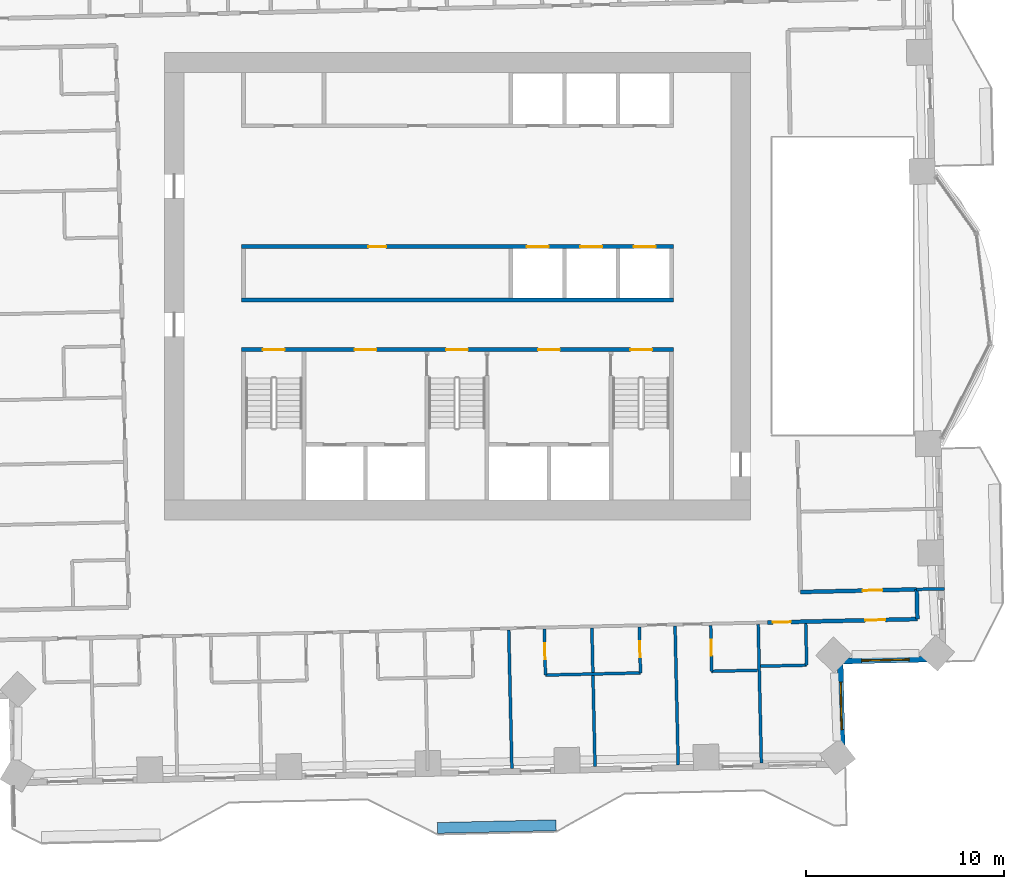
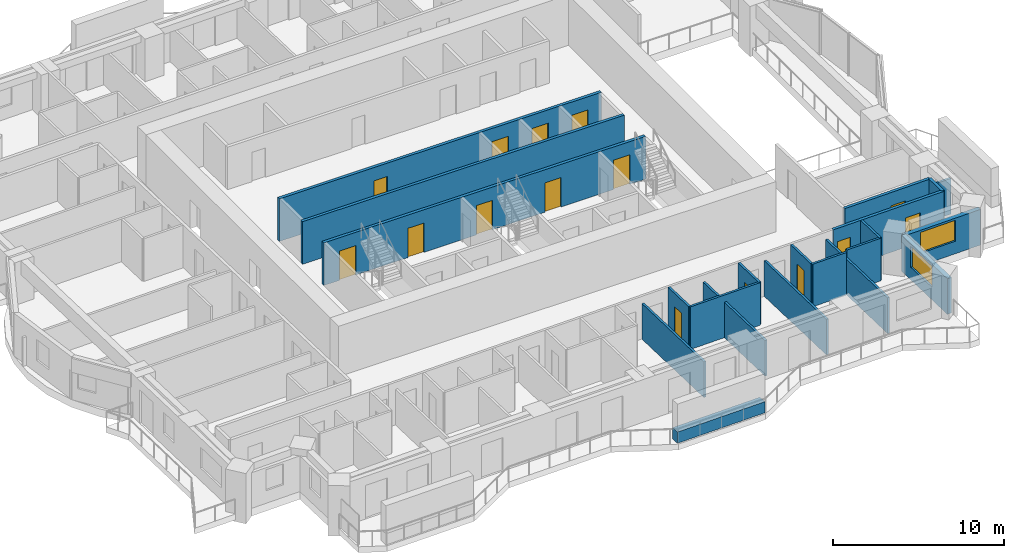
# One storey, part 8 of 16: 21 walls, 15 doors, 2 windows, 17 openings.
"""IFC4 building model written with IfcOpenShell, lengths in metres."""

from ifc_helpers import new_model, si_unit, direction, frame, frame_2d, origin, place, context, subcontext, project, spatial, rectangle, extrude, material, layer, layer_set, type_object, element, fill, save


model = new_model("IFC4")

# Units and contexts
model_context = context("Model", 3, precision=1e-05, world=origin(), true_north=direction((0.0, 1.0)))
body_context = subcontext(model_context, "Body", "Model", "MODEL_VIEW")
ifc_project = project(units=[si_unit("LENGTHUNIT", "METRE"), si_unit("AREAUNIT", "SQUARE_METRE"), si_unit("VOLUMEUNIT", "CUBIC_METRE"), si_unit("PLANEANGLEUNIT", "RADIAN"), si_unit("MASSUNIT", "GRAM", prefix="KILO")], contexts=[model_context])

# Site, building, storey
site_placement = place(None, origin())
site = spatial("IfcSite", under=ifc_project, at=site_placement, CompositionType="ELEMENT")
building_placement = place(site_placement, origin())
building = spatial("IfcBuilding", under=site, at=building_placement, Name="Mangrove Gate Tower", CompositionType="ELEMENT")
storey_placement = place(building_placement, frame((0.0, 0.0, 130.10009765625)))
storey = spatial("IfcBuildingStorey", under=building, at=storey_placement, Name="L32", CompositionType="ELEMENT", Elevation=130.10009765625)

# Wall
ifc_material_1 = material(Name="Concrete C70/85", Category="concrete")
ifc_layer_1 = layer(ifc_material_1, 0.199951171875)
ifc_layer_set_1 = layer_set([ifc_layer_1], Name="Core shaft wall 200 C70/85")
wall_type_1 = type_object("IfcWallType", Name="Core shaft wall 200 C70/85", PredefinedType="SHEAR", material=ifc_layer_set_1)
wall_1_placement = place(storey_placement, frame((-10.89990234375, -0.699951171875, 0.0), z_axis=(0.0, 0.0, 1.0), x_axis=(1.0, 0.0, 0.0)))
element("IfcWall", 1, at=wall_1_placement, inside=storey, type_object=wall_type_1, Name="WALL-L32-CORE-6", PredefinedType="SHEAR", context=body_context, shape_type="SweptSolid", body=[
    extrude(rectangle(XDim=21.7998046875, YDim=0.199951171875, at=frame_2d((10.89990234375, 0.0))), origin(), (0.0, 0.0, 1.0), 3.0498046875),
])

# Wall, openings, doors
wall_2_placement = place(storey_placement, frame((-10.89990234375, 2.0, 0.0), z_axis=(0.0, 0.0, 1.0), x_axis=(1.0, 0.0, 0.0)))
wall_2 = element("IfcWall", 2, at=wall_2_placement, inside=storey, type_object=wall_type_1, Name="WALL-L32-CORE-7", PredefinedType="SHEAR", context=body_context, shape_type="SweptSolid", body=[
    extrude(rectangle(XDim=21.7998046875, YDim=0.199951171875, at=frame_2d((10.89990234375, 0.0))), origin(), (0.0, 0.0, 1.0), 3.0498046875),
])
opening_1_placement = place(wall_2_placement, frame((14.39990234375, 0.0, 0.0)))
opening_1 = element("IfcOpeningElement", 3, at=opening_1_placement, cuts=wall_2, Name="Opening LD", PredefinedType="OPENING", context=body_context, shape_type="SweptSolid", body=[
    extrude(rectangle(XDim=1.10009765625, YDim=2.10009765625, at=frame_2d((0.550048828125, 1.050048828125))), frame((0.0, 0.10986328125, 0.0), z_axis=(0.0, -1.0, 0.0), x_axis=(1.0, 0.0, 0.0)), (0.0, 0.0, 1.0), 0.219970703125),
])
opening_2_placement = place(wall_2_placement, frame((17.10009765625, 0.0, 0.0)))
opening_2 = element("IfcOpeningElement", 4, at=opening_2_placement, cuts=wall_2, Name="Opening LD", PredefinedType="OPENING", context=body_context, shape_type="SweptSolid", body=[
    extrude(rectangle(XDim=1.10009765625, YDim=2.10009765625, at=frame_2d((0.550048828125, 1.050048828125))), frame((0.0, 0.10986328125, 0.0), z_axis=(0.0, -1.0, 0.0), x_axis=(1.0, 0.0, 0.0)), (0.0, 0.0, 1.0), 0.219970703125),
])
opening_3_placement = place(wall_2_placement, frame((19.800048828125, 0.0, 0.0)))
opening_3 = element("IfcOpeningElement", 5, at=opening_3_placement, cuts=wall_2, Name="Opening LD", PredefinedType="OPENING", context=body_context, shape_type="SweptSolid", body=[
    extrude(rectangle(XDim=1.10009765625, YDim=2.10009765625, at=frame_2d((0.550048828125, 1.050048828125))), frame((0.0, 0.10986328125, 0.0), z_axis=(0.0, -1.0, 0.0), x_axis=(1.0, 0.0, 0.0)), (0.0, 0.0, 1.0), 0.219970703125),
])
opening_4_placement = place(wall_2_placement, frame((6.39990234375, 0.0, 0.0)))
opening_4 = element("IfcOpeningElement", 6, at=opening_4_placement, cuts=wall_2, Name="Opening KD", PredefinedType="OPENING", context=body_context, shape_type="SweptSolid", body=[
    extrude(rectangle(XDim=0.89990234375, YDim=2.10009765625, at=frame_2d((0.449951171875, 1.050048828125))), frame((0.0, 0.10986328125, 0.0), z_axis=(0.0, -1.0, 0.0), x_axis=(1.0, 0.0, 0.0)), (0.0, 0.0, 1.0), 0.219970703125),
])
ifc_material_2 = material(Name="Fire-rated steel door set", Category="steel")
door_type_1 = type_object("IfcDoorType", Name="Core room door FD30S 900x2100", OperationType="SINGLE_SWING_RIGHT", PredefinedType="DOOR", material=ifc_material_2)
door_1_placement = place(opening_4_placement, origin())
door_1 = element("IfcDoor", 7, at=door_1_placement, inside=storey, type_object=door_type_1, Name="Core room door Core WC", OperationType="SINGLE_SWING_RIGHT", OverallHeight=2.10009765625, OverallWidth=0.89990234375, PredefinedType="DOOR", context=body_context, shape_type="SweptSolid", body=[
    extrude(rectangle(XDim=0.89990234375, YDim=2.10009765625, at=frame_2d((0.449951171875, 1.050048828125))), frame((0.0, 0.02490234375, 0.0), z_axis=(0.0, -1.0, 0.0), x_axis=(1.0, 0.0, 0.0)), (0.0, 0.0, 1.0), 0.050048828125),
])
fill(opening_4, door_1)
ifc_material_3 = material(Name="Stainless steel 316", Category="steel")
door_type_2 = type_object("IfcDoorType", Name="Lift landing door 1100x2100", OperationType="SLIDING_TO_LEFT", PredefinedType="DOOR", material=ifc_material_3)
door_2_placement = place(opening_1_placement, origin())
door_2 = element("IfcDoor", 8, at=door_2_placement, inside=storey, type_object=door_type_2, Name="Landing door LD M01", OperationType="SLIDING_TO_LEFT", OverallHeight=2.10009765625, OverallWidth=1.10009765625, PredefinedType="DOOR", context=body_context, shape_type="SweptSolid", body=[
    extrude(rectangle(XDim=1.10009765625, YDim=2.10009765625, at=frame_2d((0.550048828125, 1.050048828125))), frame((0.0, 0.02490234375, 0.0), z_axis=(0.0, -1.0, 0.0), x_axis=(1.0, 0.0, 0.0)), (0.0, 0.0, 1.0), 0.050048828125),
])
fill(opening_1, door_2)
door_3_placement = place(opening_2_placement, origin())
door_3 = element("IfcDoor", 9, at=door_3_placement, inside=storey, type_object=door_type_2, Name="Landing door LD M02", OperationType="SLIDING_TO_LEFT", OverallHeight=2.10009765625, OverallWidth=1.10009765625, PredefinedType="DOOR", context=body_context, shape_type="SweptSolid", body=[
    extrude(rectangle(XDim=1.10009765625, YDim=2.10009765625, at=frame_2d((0.550048828125, 1.050048828125))), frame((0.0, 0.02490234375, 0.0), z_axis=(0.0, -1.0, 0.0), x_axis=(1.0, 0.0, 0.0)), (0.0, 0.0, 1.0), 0.050048828125),
])
fill(opening_2, door_3)
door_4_placement = place(opening_3_placement, origin())
door_4 = element("IfcDoor", 10, at=door_4_placement, inside=storey, type_object=door_type_2, Name="Landing door LD M03", OperationType="SLIDING_TO_LEFT", OverallHeight=2.10009765625, OverallWidth=1.10009765625, PredefinedType="DOOR", context=body_context, shape_type="SweptSolid", body=[
    extrude(rectangle(XDim=1.10009765625, YDim=2.10009765625, at=frame_2d((0.550048828125, 1.050048828125))), frame((0.0, 0.02490234375, 0.0), z_axis=(0.0, -1.0, 0.0), x_axis=(1.0, 0.0, 0.0)), (0.0, 0.0, 1.0), 0.050048828125),
])
fill(opening_3, door_4)

ifc_material_4 = material(Name="Concrete C70/85", Category="concrete")
ifc_layer_2 = layer(ifc_material_4, 0.199951171875)
ifc_layer_set_2 = layer_set([ifc_layer_2], Name="Core stair wall 200 C70/85")
wall_type_2 = type_object("IfcWallType", Name="Core stair wall 200 C70/85", PredefinedType="SHEAR", material=ifc_layer_set_2)
wall_3_placement = place(storey_placement, frame((-10.89990234375, -3.199951171875, 0.0), z_axis=(0.0, 0.0, 1.0), x_axis=(1.0, 0.0, 0.0)))
wall_3 = element("IfcWall", 11, at=wall_3_placement, inside=storey, type_object=wall_type_2, Name="WALL-L32-CORE-5", PredefinedType="SHEAR", context=body_context, shape_type="SweptSolid", body=[
    extrude(rectangle(XDim=21.7998046875, YDim=0.199951171875, at=frame_2d((10.89990234375, 0.0))), origin(), (0.0, 0.0, 1.0), 3.0498046875),
])
opening_5_placement = place(wall_3_placement, frame((1.074951171875, 0.0, 0.0)))
opening_5 = element("IfcOpeningElement", 12, at=opening_5_placement, cuts=wall_3, Name="Opening STD11", PredefinedType="OPENING", context=body_context, shape_type="SweptSolid", body=[
    extrude(rectangle(XDim=1.10009765625, YDim=2.10009765625, at=frame_2d((0.550048828125, 1.050048828125))), frame((0.0, 0.10986328125, 0.0), z_axis=(0.0, -1.0, 0.0), x_axis=(1.0, 0.0, 0.0)), (0.0, 0.0, 1.0), 0.219970703125),
])
opening_6_placement = place(wall_3_placement, frame((10.324951171875, 0.0, 0.0)))
opening_6 = element("IfcOpeningElement", 13, at=opening_6_placement, cuts=wall_3, Name="Opening STD11", PredefinedType="OPENING", context=body_context, shape_type="SweptSolid", body=[
    extrude(rectangle(XDim=1.10009765625, YDim=2.10009765625, at=frame_2d((0.550048828125, 1.050048828125))), frame((0.0, 0.10986328125, 0.0), z_axis=(0.0, -1.0, 0.0), x_axis=(1.0, 0.0, 0.0)), (0.0, 0.0, 1.0), 0.219970703125),
])
opening_7_placement = place(wall_3_placement, frame((19.625, 0.0, 0.0)))
opening_7 = element("IfcOpeningElement", 14, at=opening_7_placement, cuts=wall_3, Name="Opening STD11", PredefinedType="OPENING", context=body_context, shape_type="SweptSolid", body=[
    extrude(rectangle(XDim=1.10009765625, YDim=2.10009765625, at=frame_2d((0.550048828125, 1.050048828125))), frame((0.0, 0.10986328125, 0.0), z_axis=(0.0, -1.0, 0.0), x_axis=(1.0, 0.0, 0.0)), (0.0, 0.0, 1.0), 0.219970703125),
])
opening_8_placement = place(wall_3_placement, frame((5.699951171875, 0.0, 0.0)))
opening_8 = element("IfcOpeningElement", 15, at=opening_8_placement, cuts=wall_3, Name="Opening FL", PredefinedType="OPENING", context=body_context, shape_type="SweptSolid", body=[
    extrude(rectangle(XDim=1.10009765625, YDim=2.10009765625, at=frame_2d((0.550048828125, 1.050048828125))), frame((0.0, 0.10986328125, 0.0), z_axis=(0.0, -1.0, 0.0), x_axis=(1.0, 0.0, 0.0)), (0.0, 0.0, 1.0), 0.219970703125),
])
opening_9_placement = place(wall_3_placement, frame((14.97509765625, 0.0, 0.0)))
opening_9 = element("IfcOpeningElement", 16, at=opening_9_placement, cuts=wall_3, Name="Opening FL", PredefinedType="OPENING", context=body_context, shape_type="SweptSolid", body=[
    extrude(rectangle(XDim=1.10009765625, YDim=2.10009765625, at=frame_2d((0.550048828125, 1.050048828125))), frame((0.0, 0.10986328125, 0.0), z_axis=(0.0, -1.0, 0.0), x_axis=(1.0, 0.0, 0.0)), (0.0, 0.0, 1.0), 0.219970703125),
])
ifc_material_5 = material(Name="Fire-rated steel door set", Category="steel")
door_type_3 = type_object("IfcDoorType", Name="Lobby door FD60 1100x2100", OperationType="SINGLE_SWING_LEFT", PredefinedType="DOOR", material=ifc_material_5)
door_5_placement = place(opening_8_placement, origin())
door_5 = element("IfcDoor", 17, at=door_5_placement, inside=storey, type_object=door_type_3, Name="Lobby door service lobby", OperationType="SINGLE_SWING_LEFT", OverallHeight=2.10009765625, OverallWidth=1.10009765625, PredefinedType="DOOR", context=body_context, shape_type="SweptSolid", body=[
    extrude(rectangle(XDim=1.10009765625, YDim=2.10009765625, at=frame_2d((0.550048828125, 1.050048828125))), frame((0.0, 0.02490234375, 0.0), z_axis=(0.0, -1.0, 0.0), x_axis=(1.0, 0.0, 0.0)), (0.0, 0.0, 1.0), 0.050048828125),
])
fill(opening_8, door_5)
door_6_placement = place(opening_9_placement, origin())
door_6 = element("IfcDoor", 18, at=door_6_placement, inside=storey, type_object=door_type_3, Name="Lobby door fire-fighting lobby", OperationType="SINGLE_SWING_LEFT", OverallHeight=2.10009765625, OverallWidth=1.10009765625, PredefinedType="DOOR", context=body_context, shape_type="SweptSolid", body=[
    extrude(rectangle(XDim=1.10009765625, YDim=2.10009765625, at=frame_2d((0.550048828125, 1.050048828125))), frame((0.0, 0.02490234375, 0.0), z_axis=(0.0, -1.0, 0.0), x_axis=(1.0, 0.0, 0.0)), (0.0, 0.0, 1.0), 0.050048828125),
])
fill(opening_9, door_6)
ifc_material_6 = material(Name="Fire-rated steel door set", Category="steel")
door_type_4 = type_object("IfcDoorType", Name="Stair door FD60 1100x2100", OperationType="SINGLE_SWING_RIGHT", PredefinedType="DOOR", material=ifc_material_6)
door_7_placement = place(opening_5_placement, origin())
door_7 = element("IfcDoor", 19, at=door_7_placement, inside=storey, type_object=door_type_4, Name="Stair door Stair 1", OperationType="SINGLE_SWING_RIGHT", OverallHeight=2.10009765625, OverallWidth=1.10009765625, PredefinedType="DOOR", context=body_context, shape_type="SweptSolid", body=[
    extrude(rectangle(XDim=1.10009765625, YDim=2.10009765625, at=frame_2d((0.550048828125, 1.050048828125))), frame((0.0, 0.02490234375, 0.0), z_axis=(0.0, -1.0, 0.0), x_axis=(1.0, 0.0, 0.0)), (0.0, 0.0, 1.0), 0.050048828125),
])
fill(opening_5, door_7)
door_8_placement = place(opening_6_placement, origin())
door_8 = element("IfcDoor", 20, at=door_8_placement, inside=storey, type_object=door_type_4, Name="Stair door Stair 2", OperationType="SINGLE_SWING_RIGHT", OverallHeight=2.10009765625, OverallWidth=1.10009765625, PredefinedType="DOOR", context=body_context, shape_type="SweptSolid", body=[
    extrude(rectangle(XDim=1.10009765625, YDim=2.10009765625, at=frame_2d((0.550048828125, 1.050048828125))), frame((0.0, 0.02490234375, 0.0), z_axis=(0.0, -1.0, 0.0), x_axis=(1.0, 0.0, 0.0)), (0.0, 0.0, 1.0), 0.050048828125),
])
fill(opening_6, door_8)
door_9_placement = place(opening_7_placement, origin())
door_9 = element("IfcDoor", 21, at=door_9_placement, inside=storey, type_object=door_type_4, Name="Stair door Stair 3", OperationType="SINGLE_SWING_RIGHT", OverallHeight=2.10009765625, OverallWidth=1.10009765625, PredefinedType="DOOR", context=body_context, shape_type="SweptSolid", body=[
    extrude(rectangle(XDim=1.10009765625, YDim=2.10009765625, at=frame_2d((0.550048828125, 1.050048828125))), frame((0.0, 0.02490234375, 0.0), z_axis=(0.0, -1.0, 0.0), x_axis=(1.0, 0.0, 0.0)), (0.0, 0.0, 1.0), 0.050048828125),
])
fill(opening_7, door_9)

# Wall
ifc_material_7 = material(Name="Gypsum board on steel stud, EI 60", Category="steel")
ifc_layer_3 = layer(ifc_material_7, 0.199951171875)
ifc_layer_set_3 = layer_set([ifc_layer_3], Name="Corridor wall EI 60")
wall_type_3 = type_object("IfcWallType", Name="Corridor wall EI 60", PredefinedType="PARTITIONING", material=ifc_layer_set_3)
wall_4_placement = place(storey_placement, frame((23.219970703125, -16.81494140625, 0.0), z_axis=(0.0, 0.0, 1.0), x_axis=(-0.022617910375, 0.999744182344, 0.0)))
element("IfcWall", 22, at=wall_4_placement, inside=storey, type_object=wall_type_3, Name="WALL-L32-028", PredefinedType="PARTITIONING", context=body_context, shape_type="SweptSolid", body=[
    extrude(rectangle(XDim=1.50048828125, YDim=0.199951171875, at=frame_2d((0.750244140625, 0.0))), origin(), (0.0, 0.0, 1.0), 3.0498046875),
])

# Wall, openings, doors
wall_5_placement = place(storey_placement, frame((15.657958984375, -16.98193359375, 0.0), z_axis=(0.0, 0.0, 1.0), x_axis=(0.99974485859, 0.022587999516, 0.0)))
wall_5 = element("IfcWall", 23, at=wall_5_placement, inside=storey, type_object=wall_type_3, Name="WALL-L32-031", PredefinedType="PARTITIONING", context=body_context, shape_type="SweptSolid", body=[
    extrude(rectangle(XDim=7.56591796875, YDim=0.199951171875, at=frame_2d((3.782958984375, 0.0))), origin(), (0.0, 0.0, 1.0), 3.0498046875),
])
opening_10_placement = place(wall_5_placement, frame((4.944091796875, 0.0, 0.0)))
opening_10 = element("IfcOpeningElement", 24, at=opening_10_placement, cuts=wall_5, Name="Opening AD", PredefinedType="OPENING", context=body_context, shape_type="SweptSolid", body=[
    extrude(rectangle(XDim=1.0, YDim=2.10009765625, at=frame_2d((0.5, 1.050048828125))), frame((0.0, 0.10986328125, 0.0), z_axis=(0.0, -1.0, 0.0), x_axis=(1.0, 0.0, 0.0)), (0.0, 0.0, 1.0), 0.219970703125),
])
opening_11_placement = place(wall_5_placement, frame((0.27197265625, 0.0, 0.0)))
opening_11 = element("IfcOpeningElement", 25, at=opening_11_placement, cuts=wall_5, Name="Opening SD", PredefinedType="OPENING", context=body_context, shape_type="SweptSolid", body=[
    extrude(rectangle(XDim=0.89990234375, YDim=2.10009765625, at=frame_2d((0.449951171875, 1.050048828125))), frame((0.0, 0.10986328125, 0.0), z_axis=(0.0, -1.0, 0.0), x_axis=(1.0, 0.0, 0.0)), (0.0, 0.0, 1.0), 0.219970703125),
])
ifc_material_8 = material(Name="Timber door leaf", Category="wood")
door_type_5 = type_object("IfcDoorType", Name="Amenity door 1000", OperationType="SINGLE_SWING_LEFT", PredefinedType="DOOR", material=ifc_material_8)
door_10_placement = place(opening_10_placement, origin())
door_10 = element("IfcDoor", 26, at=door_10_placement, inside=storey, type_object=door_type_5, Name="DOOR-L32-LNG-c3a", OperationType="SINGLE_SWING_RIGHT", OverallHeight=2.10009765625, OverallWidth=1.0, PredefinedType="DOOR", context=body_context, shape_type="SweptSolid", body=[
    extrude(rectangle(XDim=1.0, YDim=2.10009765625, at=frame_2d((0.5, 1.050048828125))), frame((0.0, 0.02490234375, 0.0), z_axis=(0.0, -1.0, 0.0), x_axis=(1.0, 0.0, 0.0)), (0.0, 0.0, 1.0), 0.050048828125),
])
fill(opening_10, door_10)
ifc_material_9 = material(Name="Timber door leaf", Category="wood")
door_type_6 = type_object("IfcDoorType", Name="Service room door 900", OperationType="SINGLE_SWING_LEFT", PredefinedType="DOOR", material=ifc_material_9)
door_11_placement = place(opening_11_placement, origin())
door_11 = element("IfcDoor", 27, at=door_11_placement, inside=storey, type_object=door_type_6, Name="DOOR-L32-LIN-c3a", OperationType="SINGLE_SWING_RIGHT", OverallHeight=2.10009765625, OverallWidth=0.89990234375, PredefinedType="DOOR", context=body_context, shape_type="SweptSolid", body=[
    extrude(rectangle(XDim=0.89990234375, YDim=2.10009765625, at=frame_2d((0.449951171875, 1.050048828125))), frame((0.0, 0.02490234375, 0.0), z_axis=(0.0, -1.0, 0.0), x_axis=(1.0, 0.0, 0.0)), (0.0, 0.0, 1.0), 0.050048828125),
])
fill(opening_11, door_11)

# Wall, opening, door
wall_6_placement = place(storey_placement, frame((17.322998046875, -15.444091796875, 0.0), z_axis=(0.0, 0.0, 1.0), x_axis=(0.999742758565, 0.022680756085, 0.0)))
wall_6 = element("IfcWall", 28, at=wall_6_placement, inside=storey, type_object=wall_type_3, Name="WALL-L32-037", PredefinedType="PARTITIONING", context=body_context, shape_type="SweptSolid", body=[
    extrude(rectangle(XDim=5.866455078125, YDim=0.199951171875, at=frame_2d((2.93310546875, 0.0))), origin(), (0.0, 0.0, 1.0), 3.0498046875),
])
opening_12_placement = place(wall_6_placement, frame((3.134033203125, 0.0, 0.0)))
opening_12 = element("IfcOpeningElement", 29, at=opening_12_placement, cuts=wall_6, Name="Opening AD", PredefinedType="OPENING", context=body_context, shape_type="SweptSolid", body=[
    extrude(rectangle(XDim=1.0, YDim=2.10009765625, at=frame_2d((0.5, 1.050048828125))), frame((0.0, 0.10986328125, 0.0), z_axis=(0.0, -1.0, 0.0), x_axis=(1.0, 0.0, 0.0)), (0.0, 0.0, 1.0), 0.219970703125),
])
door_12_placement = place(opening_12_placement, origin())
door_12 = element("IfcDoor", 30, at=door_12_placement, inside=storey, type_object=door_type_5, Name="DOOR-L32-KIT-c3a", OperationType="SINGLE_SWING_LEFT", OverallHeight=2.10009765625, OverallWidth=1.0, PredefinedType="DOOR", context=body_context, shape_type="SweptSolid", body=[
    extrude(rectangle(XDim=1.0, YDim=2.10009765625, at=frame_2d((0.5, 1.050048828125))), frame((0.0, 0.02490234375, 0.0), z_axis=(0.0, -1.0, 0.0), x_axis=(1.0, 0.0, 0.0)), (0.0, 0.0, 1.0), 0.050048828125),
])
fill(opening_12, door_12)

# Wall, opening, window
ifc_material_10 = material(Name="Limestone", Category="masonry")
ifc_layer_4 = layer(ifc_material_10, 0.0400390625, Name="Limestone cladding")
ifc_material_11 = material(Name="Ventilated air gap")
ifc_layer_5 = layer(ifc_material_11, 0.0400390625, Name="Ventilated cavity")
ifc_material_12 = material(Name="Mineral wool insulation")
ifc_layer_6 = layer(ifc_material_12, 0.06005859375, Name="Insulation")
ifc_material_13 = material(Name="Breather membrane")
ifc_layer_7 = layer(ifc_material_13, 0.001953125, Name="Breather membrane")
ifc_material_14 = material(Name="Concrete C20/25 blockwork", Category="masonry")
ifc_layer_8 = layer(ifc_material_14, 0.14990234375, Name="Blockwork backing wall")
ifc_material_15 = material(Name="Gypsum plaster")
ifc_layer_9 = layer(ifc_material_15, 0.008056640625, Name="Internal plaster")
ifc_layer_set_4 = layer_set([ifc_layer_4, ifc_layer_5, ifc_layer_6, ifc_layer_7, ifc_layer_8, ifc_layer_9], Name="External wall 300 limestone cladding")
wall_type_4 = type_object("IfcWallType", Name="External wall 300 limestone cladding", PredefinedType="SOLIDWALL", material=ifc_layer_set_4)
wall_7_placement = place(storey_placement, frame((19.43701171875, -24.12890625, 0.0), z_axis=(0.0, 0.0, 1.0), x_axis=(-0.022675548694, 0.99974287669, 0.0)))
wall_7 = element("IfcWall", 31, at=wall_7_placement, inside=storey, type_object=wall_type_4, Name="WALL-L32-E14", PredefinedType="SOLIDWALL", context=body_context, shape_type="SweptSolid", body=[
    extrude(rectangle(XDim=5.2001953125, YDim=0.300048828125, at=frame_2d((2.60009765625, 0.0))), origin(), (0.0, 0.0, 1.0), 2.5498046875),
])
opening_13_placement = place(wall_7_placement, frame((1.736083984375, 0.0, 0.89990234375)))
opening_13 = element("IfcOpeningElement", 32, at=opening_13_placement, cuts=wall_7, Name="Opening W2", PredefinedType="OPENING", context=body_context, shape_type="SweptSolid", body=[
    extrude(rectangle(XDim=2.39990234375, YDim=1.5, at=frame_2d((1.199951171875, 0.75))), frame((0.0, 0.159912109375, 0.0), z_axis=(0.0, -1.0, 0.0), x_axis=(1.0, 0.0, 0.0)), (0.0, 0.0, 1.0), 0.320068359375),
])
ifc_material_16 = material(Name="Aluminium frame with double-glazed low-e glass", Category="aluminium")
window_type = type_object("IfcWindowType", Name="Corner room window 2400x1500", PartitioningType="DOUBLE_PANEL_VERTICAL", PredefinedType="WINDOW", material=ifc_material_16)
window_1_placement = place(opening_13_placement, origin())
window_1 = element("IfcWindow", 33, at=window_1_placement, inside=storey, type_object=window_type, Name="WIN-L32-E14-1", OverallHeight=1.5, OverallWidth=2.39990234375, PartitioningType="DOUBLE_PANEL_VERTICAL", PredefinedType="WINDOW", context=body_context, shape_type="SweptSolid", body=[
    extrude(rectangle(XDim=2.39990234375, YDim=1.5, at=frame_2d((1.199951171875, 0.75))), frame((0.0, 0.030029296875, 0.0), z_axis=(0.0, -1.0, 0.0), x_axis=(1.0, 0.0, 0.0)), (0.0, 0.0, 1.0), 0.06005859375),
])
fill(opening_13, window_1)

wall_8_placement = place(storey_placement, frame((19.319091796875, -18.929931640625, 0.0), z_axis=(0.0, 0.0, 1.0), x_axis=(0.99974287669, 0.022675548694, 0.0)))
wall_8 = element("IfcWall", 34, at=wall_8_placement, inside=storey, type_object=wall_type_4, Name="WALL-L32-S15", PredefinedType="SOLIDWALL", context=body_context, shape_type="SweptSolid", body=[
    extrude(rectangle(XDim=5.2001953125, YDim=0.300048828125, at=frame_2d((2.60009765625, 0.0))), origin(), (0.0, 0.0, 1.0), 2.5498046875),
])
opening_14_placement = place(wall_8_placement, frame((1.083984375, 0.0, 0.89990234375)))
opening_14 = element("IfcOpeningElement", 35, at=opening_14_placement, cuts=wall_8, Name="Opening W2", PredefinedType="OPENING", context=body_context, shape_type="SweptSolid", body=[
    extrude(rectangle(XDim=2.39990234375, YDim=1.5, at=frame_2d((1.199951171875, 0.75))), frame((0.0, 0.159912109375, 0.0), z_axis=(0.0, -1.0, 0.0), x_axis=(1.0, 0.0, 0.0)), (0.0, 0.0, 1.0), 0.320068359375),
])
window_2_placement = place(opening_14_placement, origin())
window_2 = element("IfcWindow", 36, at=window_2_placement, inside=storey, type_object=window_type, Name="WIN-L32-S15-1", OverallHeight=1.5, OverallWidth=2.39990234375, PartitioningType="DOUBLE_PANEL_VERTICAL", PredefinedType="WINDOW", context=body_context, shape_type="SweptSolid", body=[
    extrude(rectangle(XDim=2.39990234375, YDim=1.5, at=frame_2d((1.199951171875, 0.75))), frame((0.0, 0.030029296875, 0.0), z_axis=(0.0, -1.0, 0.0), x_axis=(1.0, 0.0, 0.0)), (0.0, 0.0, 1.0), 0.06005859375),
])
fill(opening_14, window_2)

# Walls
ifc_material_17 = material(Name="Gypsum board on steel stud, EI 60", Category="steel")
ifc_layer_10 = layer(ifc_material_17, 0.14990234375)
ifc_layer_set_5 = layer_set([ifc_layer_10], Name="Party wall 150 EI 60")
wall_type_5 = type_object("IfcWallType", Name="Party wall 150 EI 60", PredefinedType="PARTITIONING", material=ifc_layer_set_5)
wall_9_placement = place(storey_placement, frame((2.74609375, -24.35791015625, 0.0), z_axis=(0.0, 0.0, 1.0), x_axis=(-0.022734078158, 0.999741547446, 0.0)))
element("IfcWall", 37, at=wall_9_placement, inside=storey, type_object=wall_type_5, Name="WALL-L32-006", PredefinedType="PARTITIONING", context=body_context, shape_type="SweptSolid", body=[
    extrude(rectangle(XDim=7.001708984375, YDim=0.14990234375, at=frame_2d((3.5009765625, 0.0))), origin(), (0.0, 0.0, 1.0), 2.5498046875),
])
wall_10_placement = place(storey_placement, frame((6.945068359375, -24.261962890625, 0.0), z_axis=(0.0, 0.0, 1.0), x_axis=(-0.022737248567, 0.999741475346, 0.0)))
element("IfcWall", 38, at=wall_10_placement, inside=storey, type_object=wall_type_5, Name="WALL-L32-007", PredefinedType="PARTITIONING", context=body_context, shape_type="SweptSolid", body=[
    extrude(rectangle(XDim=7.000732421875, YDim=0.14990234375, at=frame_2d((3.50048828125, 0.0))), origin(), (0.0, 0.0, 1.0), 2.5498046875),
])
for number, where, z_axis, x_axis, name in (
    (39, (11.14404296875, -24.1669921875, 0.0), (0.0, 0.0, 1.0), (-0.022699227919, 0.999742339331, 0.0), "WALL-L32-008"),
    (40, (15.343017578125, -24.072021484375, 0.0), (0.0, 0.0, 1.0), (-0.022699227919, 0.999742339331, 0.0), "WALL-L32-009"),
):
    element("IfcWall", number, at=place(storey_placement, frame(where, z_axis=z_axis, x_axis=x_axis)), inside=storey, type_object=wall_type_5, Name=name, PredefinedType="PARTITIONING", context=body_context, shape_type="SweptSolid", body=[
        extrude(rectangle(XDim=7.001708984375, YDim=0.14990234375, at=frame_2d((3.5009765625, 0.0))), origin(), (0.0, 0.0, 1.0), 2.5498046875),
    ])

# Wall, opening, door
wall_11_placement = place(storey_placement, frame((4.43994140625, -19.64208984375, 0.0), z_axis=(0.0, 0.0, 1.0), x_axis=(-0.022778632478, 0.99974053329, 0.0)))
wall_11 = element("IfcWall", 41, at=wall_11_placement, inside=storey, type_object=wall_type_5, Name="WALL-L32-015", PredefinedType="PARTITIONING", context=body_context, shape_type="SweptSolid", body=[
    extrude(rectangle(XDim=2.32568359375, YDim=0.14990234375, at=frame_2d((1.162841796875, 0.0))), origin(), (0.0, 0.0, 1.0), 3.0498046875),
])
opening_15_placement = place(wall_11_placement, frame((0.800048828125, 0.0, 0.0)))
opening_15 = element("IfcOpeningElement", 42, at=opening_15_placement, cuts=wall_11, Name="Opening ED", PredefinedType="OPENING", context=body_context, shape_type="SweptSolid", body=[
    extrude(rectangle(XDim=0.800048828125, YDim=2.10009765625, at=frame_2d((0.39990234375, 1.050048828125))), frame((0.0, 0.0849609375, 0.0), z_axis=(0.0, -1.0, 0.0), x_axis=(1.0, 0.0, 0.0)), (0.0, 0.0, 1.0), 0.169921875),
])
ifc_material_18 = material(Name="Timber door leaf", Category="wood")
door_type_7 = type_object("IfcDoorType", Name="En-suite door 800", OperationType="SINGLE_SWING_LEFT", PredefinedType="DOOR", material=ifc_material_18)
door_13_placement = place(opening_15_placement, origin())
door_13 = element("IfcDoor", 43, at=door_13_placement, inside=storey, type_object=door_type_7, Name="DOOR-L32-ENS-c206", OperationType="SINGLE_SWING_RIGHT", OverallHeight=2.10009765625, OverallWidth=0.800048828125, PredefinedType="DOOR", context=body_context, shape_type="SweptSolid", body=[
    extrude(rectangle(XDim=0.800048828125, YDim=2.10009765625, at=frame_2d((0.39990234375, 1.050048828125))), frame((0.0, 0.02490234375, 0.0), z_axis=(0.0, -1.0, 0.0), x_axis=(1.0, 0.0, 0.0)), (0.0, 0.0, 1.0), 0.050048828125),
])
fill(opening_15, door_13)

wall_12_placement = place(storey_placement, frame((9.239013671875, -19.532958984375, 0.0), z_axis=(0.0, 0.0, 1.0), x_axis=(-0.022781023197, 0.999740478815, 0.0)))
wall_12 = element("IfcWall", 44, at=wall_12_placement, inside=storey, type_object=wall_type_5, Name="WALL-L32-016", PredefinedType="PARTITIONING", context=body_context, shape_type="SweptSolid", body=[
    extrude(rectangle(XDim=2.325439453125, YDim=0.14990234375, at=frame_2d((1.16259765625, 0.0))), origin(), (0.0, 0.0, 1.0), 3.0498046875),
])
opening_16_placement = place(wall_12_placement, frame((0.800048828125, 0.0, 0.0)))
opening_16 = element("IfcOpeningElement", 45, at=opening_16_placement, cuts=wall_12, Name="Opening ED", PredefinedType="OPENING", context=body_context, shape_type="SweptSolid", body=[
    extrude(rectangle(XDim=0.800048828125, YDim=2.10009765625, at=frame_2d((0.39990234375, 1.050048828125))), frame((0.0, 0.0849609375, 0.0), z_axis=(0.0, -1.0, 0.0), x_axis=(1.0, 0.0, 0.0)), (0.0, 0.0, 1.0), 0.169921875),
])
door_14_placement = place(opening_16_placement, origin())
door_14 = element("IfcDoor", 46, at=door_14_placement, inside=storey, type_object=door_type_7, Name="DOOR-L32-ENS-c307", OperationType="SINGLE_SWING_LEFT", OverallHeight=2.10009765625, OverallWidth=0.800048828125, PredefinedType="DOOR", context=body_context, shape_type="SweptSolid", body=[
    extrude(rectangle(XDim=0.800048828125, YDim=2.10009765625, at=frame_2d((0.39990234375, 1.050048828125))), frame((0.0, 0.02490234375, 0.0), z_axis=(0.0, -1.0, 0.0), x_axis=(1.0, 0.0, 0.0)), (0.0, 0.0, 1.0), 0.050048828125),
])
fill(opening_16, door_14)

wall_13_placement = place(storey_placement, frame((12.837890625, -19.450927734375, 0.0), z_axis=(0.0, 0.0, 1.0), x_axis=(-0.02279059109, 0.999740260747, 0.0)))
wall_13 = element("IfcWall", 47, at=wall_13_placement, inside=storey, type_object=wall_type_5, Name="WALL-L32-017", PredefinedType="PARTITIONING", context=body_context, shape_type="SweptSolid", body=[
    extrude(rectangle(XDim=2.324462890625, YDim=0.14990234375, at=frame_2d((1.162109375, 0.0))), origin(), (0.0, 0.0, 1.0), 3.0498046875),
])
opening_17_placement = place(wall_13_placement, frame((0.800048828125, 0.0, 0.0)))
opening_17 = element("IfcOpeningElement", 48, at=opening_17_placement, cuts=wall_13, Name="Opening ED", PredefinedType="OPENING", context=body_context, shape_type="SweptSolid", body=[
    extrude(rectangle(XDim=0.800048828125, YDim=2.10009765625, at=frame_2d((0.39990234375, 1.050048828125))), frame((0.0, 0.0849609375, 0.0), z_axis=(0.0, -1.0, 0.0), x_axis=(1.0, 0.0, 0.0)), (0.0, 0.0, 1.0), 0.169921875),
])
door_15_placement = place(opening_17_placement, origin())
door_15 = element("IfcDoor", 49, at=door_15_placement, inside=storey, type_object=door_type_7, Name="DOOR-L32-ENS-c308", OperationType="SINGLE_SWING_RIGHT", OverallHeight=2.10009765625, OverallWidth=0.800048828125, PredefinedType="DOOR", context=body_context, shape_type="SweptSolid", body=[
    extrude(rectangle(XDim=0.800048828125, YDim=2.10009765625, at=frame_2d((0.39990234375, 1.050048828125))), frame((0.0, 0.02490234375, 0.0), z_axis=(0.0, -1.0, 0.0), x_axis=(1.0, 0.0, 0.0)), (0.0, 0.0, 1.0), 0.050048828125),
])
fill(opening_17, door_15)

# Walls
wall_14_placement = place(storey_placement, frame((4.43798828125, -19.637939453125, 0.0), z_axis=(0.0, 0.0, 1.0), x_axis=(0.999742596585, 0.02268789488, 0.0)))
element("IfcWall", 50, at=wall_14_placement, inside=storey, type_object=wall_type_5, Name="WALL-L32-021", PredefinedType="PARTITIONING", context=body_context, shape_type="SweptSolid", body=[
    extrude(rectangle(XDim=4.79931640625, YDim=0.14990234375, at=frame_2d((2.399658203125, 0.0))), origin(), (0.0, 0.0, 1.0), 3.0498046875),
])
wall_15_placement = place(storey_placement, frame((12.8349609375, -19.447021484375, 0.0), z_axis=(0.0, 0.0, 1.0), x_axis=(0.999740478815, 0.022781023197, 0.0)))
element("IfcWall", 51, at=wall_15_placement, inside=storey, type_object=wall_type_5, Name="WALL-L32-022", PredefinedType="PARTITIONING", context=body_context, shape_type="SweptSolid", body=[
    extrude(rectangle(XDim=2.325439453125, YDim=0.14990234375, at=frame_2d((1.16259765625, 0.0))), origin(), (0.0, 0.0, 1.0), 3.0498046875),
])
wall_16_placement = place(storey_placement, frame((17.632080078125, -19.14208984375, 0.0), z_axis=(0.0, 0.0, 1.0), x_axis=(-0.022906293375, 0.999737616439, 0.0)))
element("IfcWall", 52, at=wall_16_placement, inside=storey, type_object=wall_type_5, Name="WALL-L32-024", PredefinedType="PARTITIONING", context=body_context, shape_type="SweptSolid", body=[
    extrude(rectangle(XDim=2.099609375, YDim=0.14990234375, at=frame_2d((1.0498046875, 0.0))), origin(), (0.0, 0.0, 1.0), 3.0498046875),
])
wall_17_placement = place(storey_placement, frame((15.304931640625, -19.19091796875, 0.0), z_axis=(0.0, 0.0, 1.0), x_axis=(0.999740478815, 0.022781023197, 0.0)))
element("IfcWall", 53, at=wall_17_placement, inside=storey, type_object=wall_type_5, Name="WALL-L32-026", PredefinedType="PARTITIONING", context=body_context, shape_type="SweptSolid", body=[
    extrude(rectangle(XDim=2.325439453125, YDim=0.14990234375, at=frame_2d((1.16259765625, 0.0))), origin(), (0.0, 0.0, 1.0), 3.0498046875),
])
wall_18_placement = place(storey_placement, frame((23.18408203125, -15.31103515625, 0.0), z_axis=(0.0, 0.0, 1.0), x_axis=(0.999740577356, 0.022776698371, 0.0)))
element("IfcWall", 54, at=wall_18_placement, inside=storey, type_object=wall_type_5, Name="WALL-L32-038", PredefinedType="PARTITIONING", context=body_context, shape_type="SweptSolid", body=[
    extrude(rectangle(XDim=1.404052734375, YDim=0.14990234375, at=frame_2d((0.7021484375, 0.0))), origin(), (0.0, 0.0, 1.0), 2.5498046875),
])
ifc_material_19 = material(Name="Concrete C32/40", Category="concrete")
ifc_layer_11 = layer(ifc_material_19, 0.199951171875, Name="Planter trough wall")
ifc_material_20 = material(Name="Bituminous waterproofing membrane")
ifc_layer_12 = layer(ifc_material_20, 0.0048828125, Name="Waterproofing")
ifc_material_21 = material(Name="Drainage board and gravel")
ifc_layer_13 = layer(ifc_material_21, 0.044921875, Name="Drainage layer")
ifc_material_22 = material(Name="Planting soil")
ifc_layer_14 = layer(ifc_material_22, 0.300048828125, Name="Growing medium")
ifc_layer_set_6 = layer_set([ifc_layer_11, ifc_layer_12, ifc_layer_13, ifc_layer_14], Name="Planter wall 550 C32/40")
wall_type_6 = type_object("IfcWallType", Name="Planter wall 550 C32/40", PredefinedType="USERDEFINED", material=ifc_layer_set_6)
wall_19_placement = place(storey_placement, frame((-1.01611328125, -27.35791015625, 0.0), z_axis=(0.0, 0.0, 1.0), x_axis=(0.999743094499, 0.022665943652, 0.0)))
element("IfcWall", 55, at=wall_19_placement, inside=storey, type_object=wall_type_6, Name="PLANTER L32 S1.1", ObjectType="PLANTER", PredefinedType="USERDEFINED", context=body_context, shape_type="SweptSolid", body=[
    extrude(rectangle(XDim=5.99951171875, YDim=0.550048828125, at=frame_2d((2.999755859375, 0.0))), origin(), (0.0, 0.0, 1.0), 0.7998046875),
])

save(model, "model.ifc")
